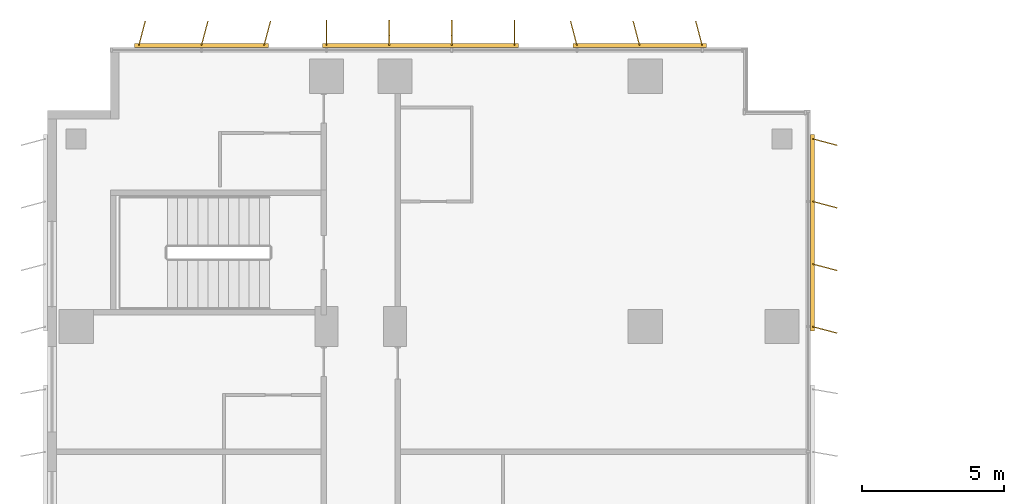
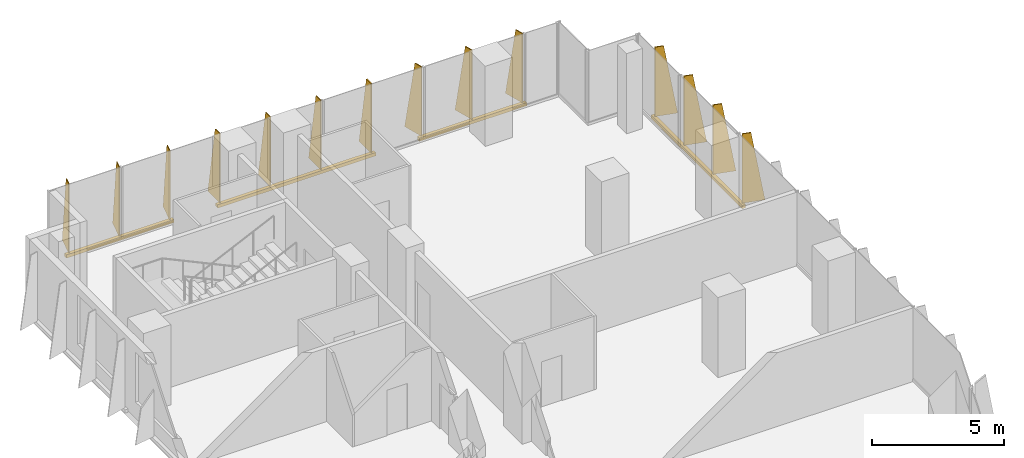
# One storey, part 23 of 23: 4 shading devices.
"""IFC4 building model written with IfcOpenShell, lengths in metres."""

from ifc_helpers import new_model, si_unit, direction, frame, origin, origin_2d, place, context, subcontext, project, spatial, polyline, rectangle, outline, extrude, source, transform, mapped, material, layer, layer_set, type_object, element, save


model = new_model("IFC4")

# Units and contexts
model_context = context("Model", 3, precision=1e-05, world=origin(), true_north=direction((0.0, 1.0)))
body_context = subcontext(model_context, "Body", "Model", "MODEL_VIEW")
ifc_project = project(units=[si_unit("LENGTHUNIT", "METRE"), si_unit("AREAUNIT", "SQUARE_METRE"), si_unit("VOLUMEUNIT", "CUBIC_METRE"), si_unit("PLANEANGLEUNIT", "RADIAN"), si_unit("MASSUNIT", "GRAM", prefix="KILO")], contexts=[model_context])

# Site, building, storey
site_placement = place(None, origin())
site = spatial("IfcSite", under=ifc_project, at=site_placement, CompositionType="ELEMENT")
building_placement = place(site_placement, origin())
building = spatial("IfcBuilding", under=site, at=building_placement, Name="Kemantara Hotel Tower", CompositionType="ELEMENT")
storey_placement = place(building_placement, frame((0.0, 0.0, 142.0)))
storey = spatial("IfcBuildingStorey", under=building, at=storey_placement, Name="L34", CompositionType="ELEMENT", Elevation=142.0)

# Shading devices
ifc_material = material(Name="Perforated aluminium plate 4 mm bronze anodised", Category="aluminium")
ifc_layer_1 = layer(ifc_material, 0.0400390625)
ifc_layer_set_1 = layer_set([ifc_layer_1], Name="Perforated aluminium plate 4 mm bronze anodised")
shading_device_type_1 = type_object("IfcShadingDeviceType", Name="SCREEN FIN CASSETTE, 3 BLADES AT -15.0 DEG, 3200 HIGH", PredefinedType="USERDEFINED", material=ifc_layer_set_1)
shared_shape_1 = source(origin(), body_context, "Body", "SweptSolid", [
    extrude(rectangle(XDim=4.699951171875, YDim=0.14990234375, at=origin_2d()), frame((2.199951171875, -0.074951171875, -0.14990234375), z_axis=(0.0, 0.0, 1.0), x_axis=(1.0, 0.0, 0.0)), (0.0, 0.0, 1.0), 0.14990234375),
    extrude(outline(polyline([(0.0, 0.0), (0.89990234375, 0.0), (0.35009765625, 3.199951171875), (0.0, 3.199951171875), (0.0, 0.0)])), frame((0.019287109375, -0.080078125, 0.0), z_axis=(-0.966437683387, 0.256901156343, 0.0), x_axis=(-0.256901156343, -0.966437683387, 0.0)), (0.0, 0.0, 1.0), 0.039794921875),
    extrude(outline(polyline([(0.0, 0.0), (0.89990234375, 0.0), (0.35009765625, 3.199951171875), (0.0, 3.199951171875), (0.0, 0.0)])), frame((2.21923828125, -0.080078125, 0.0), z_axis=(-0.966437683387, 0.256901156343, 0.0), x_axis=(-0.256901156343, -0.966437683387, 0.0)), (0.0, 0.0, 1.0), 0.039794921875),
    extrude(outline(polyline([(0.0, 0.0), (0.89990234375, 0.0), (0.35009765625, 3.199951171875), (0.0, 3.199951171875), (0.0, 0.0)])), frame((4.41943359375, -0.080078125, 0.0), z_axis=(-0.966837822169, 0.255391122837, 0.0), x_axis=(-0.255391122837, -0.966837822169, 0.0)), (0.0, 0.0, 1.0), 0.0400390625),
])
shading_device_1_placement = place(storey_placement, frame((7.60009765625, 81.199951171875, 0.10009765625), z_axis=(0.0, 0.0, 1.0), x_axis=(-1.0, 0.0, 0.0)))
element("IfcShadingDevice", 1, at=shading_device_1_placement, inside=storey, type_object=shading_device_type_1, Name="SCREEN FIN CASSETTE L34 T2-R01-3", ObjectType="SCREEN FIN", PredefinedType="USERDEFINED", context=body_context, shape_type="MappedRepresentation", body=[
    mapped(shared_shape_1, transform((0.0, 0.0, 0.0))),
])
ifc_layer_2 = layer(ifc_material, 0.0400390625)
ifc_layer_set_2 = layer_set([ifc_layer_2], Name="Perforated aluminium plate 4 mm bronze anodised")
shading_device_type_2 = type_object("IfcShadingDeviceType", Name="SCREEN FIN CASSETTE, 4 BLADES AT +0.0 DEG, 3200 HIGH", PredefinedType="USERDEFINED", material=ifc_layer_set_2)
shared_shape_2 = source(origin(), body_context, "Body", "SweptSolid", [
    extrude(rectangle(XDim=6.89990234375, YDim=0.14990234375, at=origin_2d()), frame((3.300048828125, -0.074951171875, -0.14990234375), z_axis=(0.0, 0.0, 1.0), x_axis=(1.0, 0.0, 0.0)), (0.0, 0.0, 1.0), 0.14990234375),
    extrude(outline(polyline([(0.0, 0.0), (0.89990234375, 0.0), (0.35009765625, 3.199951171875), (0.0, 3.199951171875), (0.0, 0.0)])), frame((0.02001953125, -0.074951171875, 0.0), z_axis=(-1.0, 0.0, 0.0), x_axis=(0.0, -1.0, 0.0)), (0.0, 0.0, 1.0), 0.0400390625),
    extrude(outline(polyline([(0.0, 0.0), (0.89990234375, 0.0), (0.35009765625, 3.199951171875), (0.0, 3.199951171875), (0.0, 0.0)])), frame((2.219970703125, -0.074951171875, 0.0), z_axis=(-1.0, 0.0, 0.0), x_axis=(0.0, -1.0, 0.0)), (0.0, 0.0, 1.0), 0.0400390625),
    extrude(outline(polyline([(0.0, 0.0), (0.89990234375, 0.0), (0.35009765625, 3.199951171875), (0.0, 3.199951171875), (0.0, 0.0)])), frame((4.419921875, -0.074951171875, 0.0), z_axis=(-1.0, 0.0, 0.0), x_axis=(0.0, -1.0, 0.0)), (0.0, 0.0, 1.0), 0.0400390625),
    extrude(outline(polyline([(0.0, 0.0), (0.89990234375, 0.0), (0.35009765625, 3.199951171875), (0.0, 3.199951171875), (0.0, 0.0)])), frame((6.6201171875, -0.074951171875, 0.0), z_axis=(-1.0, 0.0, 0.0), x_axis=(0.0, -1.0, 0.0)), (0.0, 0.0, 1.0), 0.0400390625),
])
shading_device_2_placement = place(storey_placement, frame((16.39990234375, 81.199951171875, 0.10009765625), z_axis=(0.0, 0.0, 1.0), x_axis=(-1.0, 0.0, 0.0)))
element("IfcShadingDevice", 2, at=shading_device_2_placement, inside=storey, type_object=shading_device_type_2, Name="SCREEN FIN CASSETTE L34 T2-R01-2", ObjectType="SCREEN FIN", PredefinedType="USERDEFINED", context=body_context, shape_type="MappedRepresentation", body=[
    mapped(shared_shape_2, transform((0.0, 0.0, 0.0))),
])
ifc_layer_3 = layer(ifc_material, 0.0400390625)
ifc_layer_set_3 = layer_set([ifc_layer_3], Name="Perforated aluminium plate 4 mm bronze anodised")
shading_device_type_3 = type_object("IfcShadingDeviceType", Name="SCREEN FIN CASSETTE, 3 BLADES AT +15.0 DEG, 3200 HIGH", PredefinedType="USERDEFINED", material=ifc_layer_set_3)
shared_shape_3 = source(origin(), body_context, "Body", "SweptSolid", [
    extrude(rectangle(XDim=4.699951171875, YDim=0.14990234375, at=origin_2d()), frame((2.199951171875, -0.074951171875, -0.14990234375), z_axis=(0.0, 0.0, 1.0), x_axis=(1.0, 0.0, 0.0)), (0.0, 0.0, 1.0), 0.14990234375),
    extrude(outline(polyline([(0.0, 0.0), (0.89990234375, 0.0), (0.35009765625, 3.199951171875), (0.0, 3.199951171875), (0.0, 0.0)])), frame((0.019287109375, -0.06982421875, 0.0), z_axis=(-0.966437683387, -0.256901156343, 0.0), x_axis=(0.256901156343, -0.966437683387, 0.0)), (0.0, 0.0, 1.0), 0.039794921875),
    extrude(outline(polyline([(0.0, 0.0), (0.89990234375, 0.0), (0.35009765625, 3.199951171875), (0.0, 3.199951171875), (0.0, 0.0)])), frame((2.21923828125, -0.06982421875, 0.0), z_axis=(-0.966437683387, -0.256901156343, 0.0), x_axis=(0.256901156343, -0.966437683387, 0.0)), (0.0, 0.0, 1.0), 0.039794921875),
    extrude(outline(polyline([(0.0, 0.0), (0.89990234375, 0.0), (0.35009765625, 3.199951171875), (0.0, 3.199951171875), (0.0, 0.0)])), frame((4.41943359375, -0.06982421875, 0.0), z_axis=(-0.966837822169, -0.255391122837, 0.0), x_axis=(0.255391122837, -0.966837822169, 0.0)), (0.0, 0.0, 1.0), 0.0400390625),
])
shading_device_3_placement = place(storey_placement, frame((23.0, 81.199951171875, 0.10009765625), z_axis=(0.0, 0.0, 1.0), x_axis=(-1.0, 0.0, 0.0)))
element("IfcShadingDevice", 3, at=shading_device_3_placement, inside=storey, type_object=shading_device_type_3, Name="SCREEN FIN CASSETTE L34 T2-R01-1", ObjectType="SCREEN FIN", PredefinedType="USERDEFINED", context=body_context, shape_type="MappedRepresentation", body=[
    mapped(shared_shape_3, transform((0.0, 0.0, 0.0))),
])
ifc_layer_4 = layer(ifc_material, 0.0400390625)
ifc_layer_set_4 = layer_set([ifc_layer_4], Name="Perforated aluminium plate 4 mm bronze anodised")
shading_device_type_4 = type_object("IfcShadingDeviceType", Name="SCREEN FIN CASSETTE, 4 BLADES AT -15.0 DEG, 3200 HIGH", PredefinedType="USERDEFINED", material=ifc_layer_set_4)
shared_shape_4 = source(origin(), body_context, "Body", "SweptSolid", [
    extrude(rectangle(XDim=6.89990234375, YDim=0.14990234375, at=origin_2d()), frame((3.300048828125, -0.074951171875, -0.14990234375), z_axis=(0.0, 0.0, 1.0), x_axis=(1.0, 0.0, 0.0)), (0.0, 0.0, 1.0), 0.14990234375),
    extrude(outline(polyline([(0.0, 0.0), (0.89990234375, 0.0), (0.35009765625, 3.199951171875), (0.0, 3.199951171875), (0.0, 0.0)])), frame((0.019287109375, -0.080078125, 0.0), z_axis=(-0.966437683387, 0.256901156343, 0.0), x_axis=(-0.256901156343, -0.966437683387, 0.0)), (0.0, 0.0, 1.0), 0.039794921875),
    extrude(outline(polyline([(0.0, 0.0), (0.89990234375, 0.0), (0.35009765625, 3.199951171875), (0.0, 3.199951171875), (0.0, 0.0)])), frame((2.21923828125, -0.080078125, 0.0), z_axis=(-0.966437683387, 0.256901156343, 0.0), x_axis=(-0.256901156343, -0.966437683387, 0.0)), (0.0, 0.0, 1.0), 0.039794921875),
    extrude(outline(polyline([(0.0, 0.0), (0.89990234375, 0.0), (0.35009765625, 3.199951171875), (0.0, 3.199951171875), (0.0, 0.0)])), frame((4.41943359375, -0.080078125, 0.0), z_axis=(-0.966837822169, 0.255391122837, 0.0), x_axis=(-0.255391122837, -0.966837822169, 0.0)), (0.0, 0.0, 1.0), 0.0400390625),
    extrude(outline(polyline([(0.0, 0.0), (0.89990234375, 0.0), (0.35009765625, 3.199951171875), (0.0, 3.199951171875), (0.0, 0.0)])), frame((6.619384765625, -0.080078125, 0.0), z_axis=(-0.966837822169, 0.255391122837, 0.0), x_axis=(-0.255391122837, -0.966837822169, 0.0)), (0.0, 0.0, 1.0), 0.0400390625),
])
shading_device_4_placement = place(storey_placement, frame((26.800048828125, 71.39990234375, 0.10009765625), z_axis=(0.0, 0.0, 1.0), x_axis=(0.0, 1.0, 0.0)))
element("IfcShadingDevice", 4, at=shading_device_4_placement, inside=storey, type_object=shading_device_type_4, Name="SCREEN FIN CASSETTE L34 T2-R14-7", ObjectType="SCREEN FIN", PredefinedType="USERDEFINED", context=body_context, shape_type="MappedRepresentation", body=[
    mapped(shared_shape_4, transform((0.0, 0.0, 0.0))),
])

save(model, "model.ifc")
